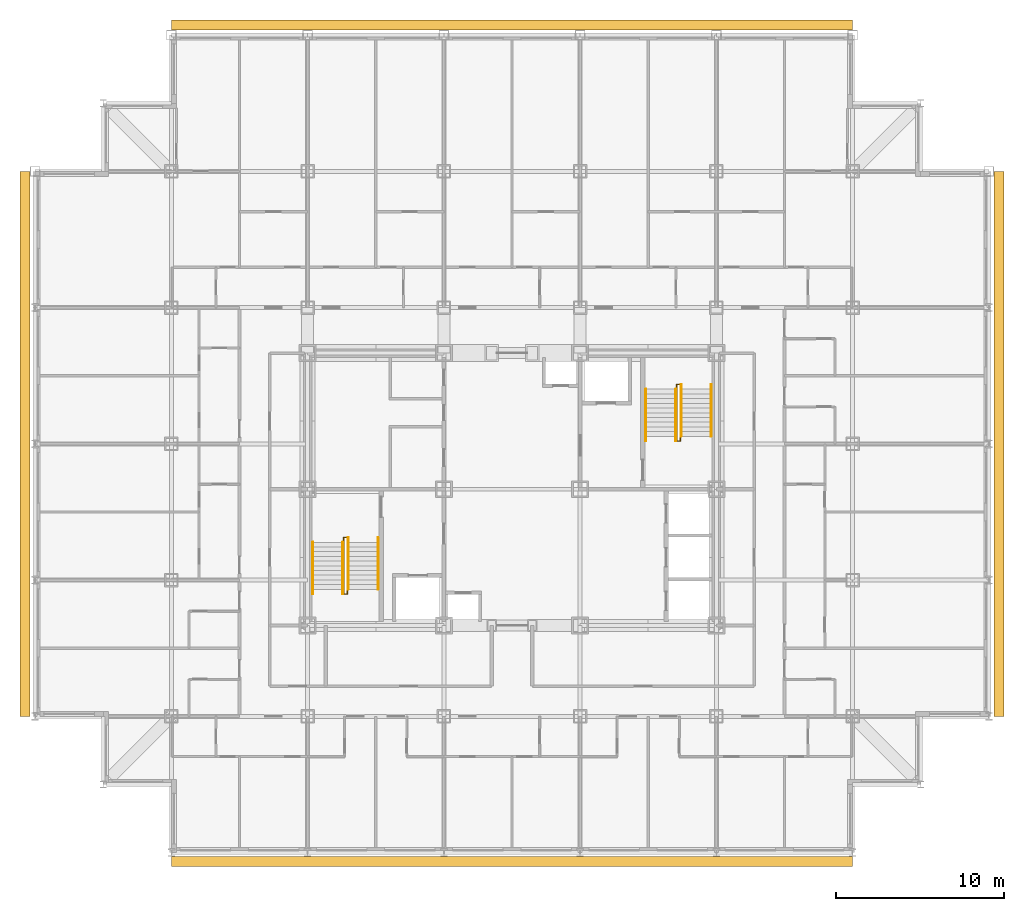
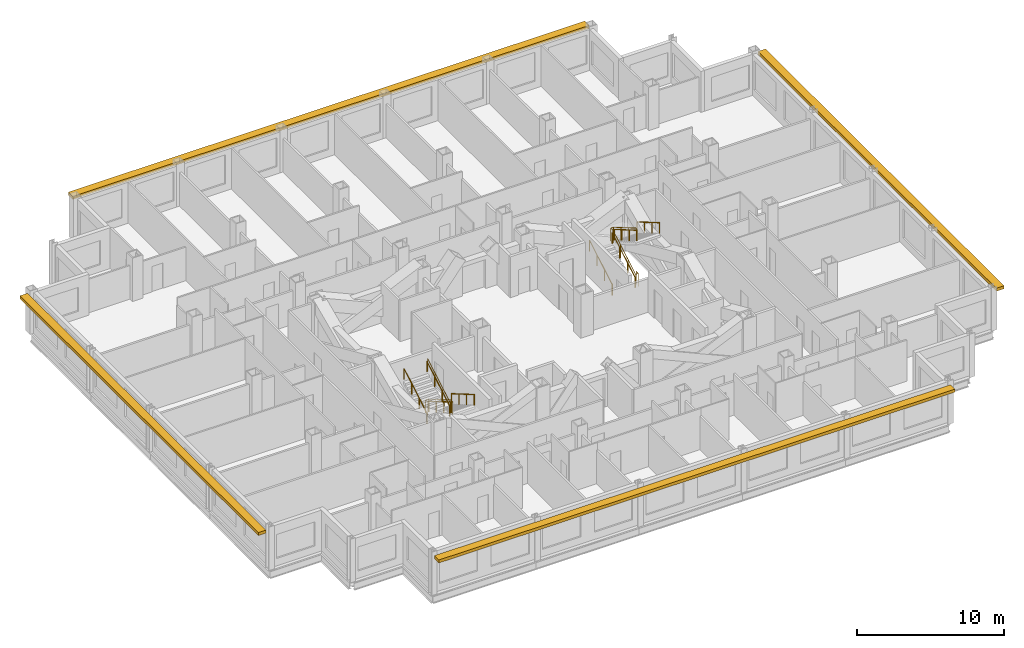
# One storey, part 12 of 12: 10 railings, 4 shading devices.
"""IFC4 building model written with IfcOpenShell, lengths in metres."""

from ifc_helpers import new_model, si_unit, direction, frame, origin, origin_2d, place, context, subcontext, project, spatial, rectangle, circle, extrude, material, type_object, element, save


model = new_model("IFC4")

# Units and contexts
model_context = context("Model", 3, precision=1e-05, world=origin(), true_north=direction((0.0, 1.0)))
body_context = subcontext(model_context, "Body", "Model", "MODEL_VIEW")
ifc_project = project(units=[si_unit("LENGTHUNIT", "METRE"), si_unit("AREAUNIT", "SQUARE_METRE"), si_unit("VOLUMEUNIT", "CUBIC_METRE"), si_unit("PLANEANGLEUNIT", "RADIAN"), si_unit("MASSUNIT", "GRAM", prefix="KILO")], contexts=[model_context])

# Site, building, storey
site_placement = place(None, origin())
site = spatial("IfcSite", under=ifc_project, at=site_placement, CompositionType="ELEMENT")
building_placement = place(site_placement, origin())
building = spatial("IfcBuilding", under=site, at=building_placement, Name="Kopane Lantern Tower", CompositionType="ELEMENT")
storey_placement = place(building_placement, frame((0.0, 0.0, 177.60009765625)))
storey = spatial("IfcBuildingStorey", under=building, at=storey_placement, Name="L45", CompositionType="ELEMENT", Elevation=177.60009765625)

# Railings
ifc_material_1 = material(Name="Steel", Category="steel")
railing_type_1 = type_object("IfcRailingType", Name="STAIR GUARD 1100", PredefinedType="GUARDRAIL", material=ifc_material_1)
railing_1_placement = place(storey_placement, frame((18.35009765625, 29.25, 0.0)))
element("IfcRailing", 1, at=railing_1_placement, inside=storey, type_object=railing_type_1, Name="ST1 well guard L45", PredefinedType="GUARDRAIL", context=body_context, shape_type="SweptSolid", body=[
    extrude(circle(Radius=0.02392578125, at=origin_2d()), frame((0.0, 0.0, 1.076171875), z_axis=(0.0, 1.0, 0.0), x_axis=(-1.0, 0.0, 0.0)), (0.0, 0.0, 1.0), 0.280029296875),
    extrude(circle(Radius=0.02392578125, at=origin_2d()), frame((0.0, 0.280029296875, 1.076171875), z_axis=(1.0, 0.0, 0.0), x_axis=(0.0, 1.0, 0.0)), (0.0, 0.0, 1.0), 0.199951171875),
    extrude(circle(Radius=0.02392578125, at=origin_2d()), frame((0.199951171875, 0.280029296875, 1.076171875), z_axis=(0.0, -0.863401368682, 0.504517667242), x_axis=(1.0, 0.0, 0.0)), (0.0, 0.0, 1.0), 3.5673828125),
    extrude(circle(Radius=0.02392578125, at=origin_2d()), frame((0.199951171875, -2.800048828125, 2.8759765625), z_axis=(0.0, -1.0, 0.0), x_axis=(1.0, 0.0, 0.0)), (0.0, 0.0, 1.0), 0.280029296875),
    extrude(circle(Radius=0.02392578125, at=origin_2d()), frame((0.199951171875, -3.080078125, 2.8759765625), z_axis=(-1.0, 0.0, 0.0), x_axis=(0.0, -1.0, 0.0)), (0.0, 0.0, 1.0), 0.199951171875),
    extrude(circle(Radius=0.02392578125, at=origin_2d()), frame((0.0, -3.080078125, 2.8759765625), z_axis=(0.0, 0.863371556955, 0.504568681787), x_axis=(-1.0, 0.0, 0.0)), (0.0, 0.0, 1.0), 3.5673828125),
    extrude(circle(Radius=0.02099609375, at=origin_2d()), origin(), (0.0, 0.0, 1.0), 1.052001953125),
    extrude(circle(Radius=0.02099609375, at=origin_2d()), frame((0.0, 0.280029296875, 0.0)), (0.0, 0.0, 1.0), 1.052001953125),
    extrude(circle(Radius=0.02099609375, at=origin_2d()), frame((0.199951171875, 0.280029296875, 0.0)), (0.0, 0.0, 1.0), 1.052001953125),
    extrude(circle(Radius=0.02099609375, at=origin_2d()), frame((0.199951171875, -0.74658203125, 0.599853515625)), (0.0, 0.0, 1.0), 1.052001953125),
    extrude(circle(Radius=0.02099609375, at=origin_2d()), frame((0.199951171875, -1.7734375, 1.199951171875)), (0.0, 0.0, 1.0), 1.052001953125),
    extrude(circle(Radius=0.02099609375, at=origin_2d()), frame((0.199951171875, -2.800048828125, 1.7998046875)), (0.0, 0.0, 1.0), 1.052001953125),
    extrude(circle(Radius=0.02099609375, at=origin_2d()), frame((0.199951171875, -3.080078125, 1.7998046875)), (0.0, 0.0, 1.0), 1.052001953125),
    extrude(circle(Radius=0.02099609375, at=origin_2d()), frame((0.0, -3.080078125, 1.7998046875)), (0.0, 0.0, 1.0), 1.052001953125),
    extrude(circle(Radius=0.02099609375, at=origin_2d()), frame((0.0, -2.053466796875, 2.39990234375)), (0.0, 0.0, 1.0), 1.052001953125),
    extrude(circle(Radius=0.02099609375, at=origin_2d()), frame((0.0, -1.026611328125, 2.999755859375)), (0.0, 0.0, 1.0), 1.052001953125),
    extrude(circle(Radius=0.02099609375, at=origin_2d()), frame((0.0, 0.0, 3.599853515625)), (0.0, 0.0, 1.0), 1.052001953125),
])
railing_2_placement = place(storey_placement, frame((38.35009765625, 35.550048828125, 0.0)))
element("IfcRailing", 2, at=railing_2_placement, inside=storey, type_object=railing_type_1, Name="ST2 well guard L45", PredefinedType="GUARDRAIL", context=body_context, shape_type="SweptSolid", body=[
    extrude(circle(Radius=0.02392578125, at=origin_2d()), frame((0.0, 0.0, 1.076171875), z_axis=(0.0, -1.0, 0.0), x_axis=(1.0, 0.0, 0.0)), (0.0, 0.0, 1.0), 0.280029296875),
    extrude(circle(Radius=0.02392578125, at=origin_2d()), frame((0.0, -0.280029296875, 1.076171875), z_axis=(-1.0, 0.0, 0.0), x_axis=(0.0, -1.0, 0.0)), (0.0, 0.0, 1.0), 0.2001953125),
    extrude(circle(Radius=0.02392578125, at=origin_2d()), frame((-0.2001953125, -0.280029296875, 1.076171875), z_axis=(0.0, 0.863401368682, 0.504517667242), x_axis=(-1.0, 0.0, 0.0)), (0.0, 0.0, 1.0), 3.5673828125),
    extrude(circle(Radius=0.02392578125, at=origin_2d()), frame((-0.2001953125, 2.800048828125, 2.8759765625), z_axis=(0.0, 1.0, 0.0), x_axis=(-1.0, 0.0, 0.0)), (0.0, 0.0, 1.0), 0.27978515625),
    extrude(circle(Radius=0.02392578125, at=origin_2d()), frame((-0.2001953125, 3.079833984375, 2.8759765625), z_axis=(1.0, 0.0, 0.0), x_axis=(0.0, 1.0, 0.0)), (0.0, 0.0, 1.0), 0.2001953125),
    extrude(circle(Radius=0.02392578125, at=origin_2d()), frame((0.0, 3.079833984375, 2.8759765625), z_axis=(0.0, -0.863354132664, 0.504598495452), x_axis=(1.0, 0.0, 0.0)), (0.0, 0.0, 1.0), 3.5673828125),
    extrude(circle(Radius=0.02099609375, at=origin_2d()), origin(), (0.0, 0.0, 1.0), 1.052001953125),
    extrude(circle(Radius=0.02099609375, at=origin_2d()), frame((0.0, -0.280029296875, 0.0)), (0.0, 0.0, 1.0), 1.052001953125),
    extrude(circle(Radius=0.02099609375, at=origin_2d()), frame((-0.2001953125, -0.280029296875, 0.0)), (0.0, 0.0, 1.0), 1.052001953125),
    extrude(circle(Radius=0.02099609375, at=origin_2d()), frame((-0.2001953125, 0.74658203125, 0.599853515625)), (0.0, 0.0, 1.0), 1.052001953125),
    extrude(circle(Radius=0.02099609375, at=origin_2d()), frame((-0.2001953125, 1.7734375, 1.199951171875)), (0.0, 0.0, 1.0), 1.052001953125),
    extrude(circle(Radius=0.02099609375, at=origin_2d()), frame((-0.2001953125, 2.800048828125, 1.7998046875)), (0.0, 0.0, 1.0), 1.052001953125),
    extrude(circle(Radius=0.02099609375, at=origin_2d()), frame((-0.2001953125, 3.079833984375, 1.7998046875)), (0.0, 0.0, 1.0), 1.052001953125),
    extrude(circle(Radius=0.02099609375, at=origin_2d()), frame((0.0, 3.079833984375, 1.7998046875)), (0.0, 0.0, 1.0), 1.052001953125),
    extrude(circle(Radius=0.02099609375, at=origin_2d()), frame((0.0, 2.05322265625, 2.39990234375)), (0.0, 0.0, 1.0), 1.052001953125),
    extrude(circle(Radius=0.02099609375, at=origin_2d()), frame((0.0, 1.026611328125, 2.999755859375)), (0.0, 0.0, 1.0), 1.052001953125),
    extrude(circle(Radius=0.02099609375, at=origin_2d()), frame((0.0, 0.0, 3.599853515625)), (0.0, 0.0, 1.0), 1.052001953125),
])
ifc_material_2 = material(Name="Steel", Category="steel")
railing_type_2 = type_object("IfcRailingType", Name="STAIR HANDRAIL 900", PredefinedType="HANDRAIL", material=ifc_material_2)
for number, where, name in (
    (3, (20.389892578125, 29.530029296875, 0.0), "ST1 handrail L45 flight 1"),
    (4, (18.610107421875, 29.530029296875, 0.0), "ST1 handrail L45 flight 1"),
):
    element("IfcRailing", number, at=place(storey_placement, frame(where)), inside=storey, type_object=railing_type_2, Name=name, PredefinedType="HANDRAIL", context=body_context, shape_type="SweptSolid", body=[
        extrude(circle(Radius=0.02392578125, at=origin_2d()), frame((0.0, 0.0, 0.8759765625), z_axis=(0.0, -0.863401368682, 0.504517667242), x_axis=(1.0, 0.0, 0.0)), (0.0, 0.0, 1.0), 3.5673828125),
        extrude(circle(Radius=0.02099609375, at=origin_2d()), origin(), (0.0, 0.0, 1.0), 0.851806640625),
        extrude(circle(Radius=0.02099609375, at=origin_2d()), frame((0.0, -1.026611328125, 0.599853515625)), (0.0, 0.0, 1.0), 0.851806640625),
        extrude(circle(Radius=0.02099609375, at=origin_2d()), frame((0.0, -2.053466796875, 1.199951171875)), (0.0, 0.0, 1.0), 0.851806640625),
        extrude(circle(Radius=0.02099609375, at=origin_2d()), frame((0.0, -3.080078125, 1.7998046875)), (0.0, 0.0, 1.0), 0.851806640625),
    ])
for number, where, name in (
    (5, (16.510009765625, 26.169921875, 1.7998046875), "ST1 handrail L45 flight 2"),
    (6, (18.2900390625, 26.169921875, 1.7998046875), "ST1 handrail L45 flight 2"),
):
    element("IfcRailing", number, at=place(storey_placement, frame(where)), inside=storey, type_object=railing_type_2, Name=name, PredefinedType="HANDRAIL", context=body_context, shape_type="SweptSolid", body=[
        extrude(circle(Radius=0.02392578125, at=origin_2d()), frame((0.0, 0.0, 0.8759765625), z_axis=(0.0, 0.863371556955, 0.504568681787), x_axis=(-1.0, 0.0, 0.0)), (0.0, 0.0, 1.0), 3.5673828125),
        extrude(circle(Radius=0.02099609375, at=origin_2d()), origin(), (0.0, 0.0, 1.0), 0.851806640625),
        extrude(circle(Radius=0.02099609375, at=origin_2d()), frame((0.0, 1.026611328125, 0.60009765625)), (0.0, 0.0, 1.0), 0.851806640625),
        extrude(circle(Radius=0.02099609375, at=origin_2d()), frame((0.0, 2.053466796875, 1.199951171875)), (0.0, 0.0, 1.0), 0.851806640625),
        extrude(circle(Radius=0.02099609375, at=origin_2d()), frame((0.0, 3.080078125, 1.800048828125)), (0.0, 0.0, 1.0), 0.851806640625),
    ])
for number, where, name in (
    (7, (36.31005859375, 35.27001953125, 0.0), "ST2 handrail L45 flight 1"),
    (8, (38.090087890625, 35.27001953125, 0.0), "ST2 handrail L45 flight 1"),
):
    element("IfcRailing", number, at=place(storey_placement, frame(where)), inside=storey, type_object=railing_type_2, Name=name, PredefinedType="HANDRAIL", context=body_context, shape_type="SweptSolid", body=[
        extrude(circle(Radius=0.02392578125, at=origin_2d()), frame((0.0, 0.0, 0.8759765625), z_axis=(0.0, 0.863401368682, 0.504517667242), x_axis=(-1.0, 0.0, 0.0)), (0.0, 0.0, 1.0), 3.5673828125),
        extrude(circle(Radius=0.02099609375, at=origin_2d()), origin(), (0.0, 0.0, 1.0), 0.851806640625),
        extrude(circle(Radius=0.02099609375, at=origin_2d()), frame((0.0, 1.026611328125, 0.599853515625)), (0.0, 0.0, 1.0), 0.851806640625),
        extrude(circle(Radius=0.02099609375, at=origin_2d()), frame((0.0, 2.053466796875, 1.199951171875)), (0.0, 0.0, 1.0), 0.851806640625),
        extrude(circle(Radius=0.02099609375, at=origin_2d()), frame((0.0, 3.080078125, 1.7998046875)), (0.0, 0.0, 1.0), 0.851806640625),
    ])
for number, where, name in (
    (9, (40.18994140625, 38.6298828125, 1.7998046875), "ST2 handrail L45 flight 2"),
    (10, (38.409912109375, 38.6298828125, 1.7998046875), "ST2 handrail L45 flight 2"),
):
    element("IfcRailing", number, at=place(storey_placement, frame(where)), inside=storey, type_object=railing_type_2, Name=name, PredefinedType="HANDRAIL", context=body_context, shape_type="SweptSolid", body=[
        extrude(circle(Radius=0.02392578125, at=origin_2d()), frame((0.0, 0.0, 0.8759765625), z_axis=(0.0, -0.863354132664, 0.504598495452), x_axis=(1.0, 0.0, 0.0)), (0.0, 0.0, 1.0), 3.5673828125),
        extrude(circle(Radius=0.02099609375, at=origin_2d()), origin(), (0.0, 0.0, 1.0), 0.851806640625),
        extrude(circle(Radius=0.02099609375, at=origin_2d()), frame((0.0, -1.026611328125, 0.60009765625)), (0.0, 0.0, 1.0), 0.851806640625),
        extrude(circle(Radius=0.02099609375, at=origin_2d()), frame((0.0, -2.05322265625, 1.199951171875)), (0.0, 0.0, 1.0), 0.851806640625),
        extrude(circle(Radius=0.02099609375, at=origin_2d()), frame((0.0, -3.079833984375, 1.800048828125)), (0.0, 0.0, 1.0), 0.851806640625),
    ])

# Shading devices
ifc_material_3 = material(Name="Terracotta rainscreen on light steel framing", Category="masonry")
shading_device_type = type_object("IfcShadingDeviceType", Name="SUNSHADE BAND SB1 600 TERRACOTTA", PredefinedType="USERDEFINED", material=ifc_material_3)
shading_device_1_placement = place(storey_placement, frame((28.35009765625, 10.2626953125, 3.0), z_axis=(0.0, 0.0, 1.0), x_axis=(1.0, 0.0, 0.0)))
element("IfcShadingDevice", 11, at=shading_device_1_placement, inside=storey, type_object=shading_device_type, Name="Sunshade band S L45", ObjectType="SUNSHADE BAND", PredefinedType="USERDEFINED", context=body_context, shape_type="SweptSolid", body=[
    extrude(rectangle(XDim=40.5, YDim=0.60009765625, at=origin_2d()), origin(), (0.0, 0.0, 1.0), 0.25),
])
shading_device_2_placement = place(storey_placement, frame((57.300048828125, 35.10009765625, 3.0), z_axis=(0.0, 0.0, 1.0), x_axis=(0.0, 1.0, 0.0)))
element("IfcShadingDevice", 12, at=shading_device_2_placement, inside=storey, type_object=shading_device_type, Name="Sunshade band E L45", ObjectType="SUNSHADE BAND", PredefinedType="USERDEFINED", context=body_context, shape_type="SweptSolid", body=[
    extrude(rectangle(XDim=32.39990234375, YDim=0.60009765625, at=origin_2d()), origin(), (0.0, 0.0, 1.0), 0.25),
])
shading_device_3_placement = place(storey_placement, frame((28.35009765625, 60.0, 3.0), z_axis=(0.0, 0.0, 1.0), x_axis=(-1.0, 0.0, 0.0)))
element("IfcShadingDevice", 13, at=shading_device_3_placement, inside=storey, type_object=shading_device_type, Name="Sunshade band N L45", ObjectType="SUNSHADE BAND", PredefinedType="USERDEFINED", context=body_context, shape_type="SweptSolid", body=[
    extrude(rectangle(XDim=40.5, YDim=0.60009765625, at=origin_2d()), origin(), (0.0, 0.0, 1.0), 0.25),
])
shading_device_4_placement = place(storey_placement, frame((-0.60009765625, 35.10009765625, 3.0), z_axis=(0.0, 0.0, 1.0), x_axis=(0.0, -1.0, 0.0)))
element("IfcShadingDevice", 14, at=shading_device_4_placement, inside=storey, type_object=shading_device_type, Name="Sunshade band W L45", ObjectType="SUNSHADE BAND", PredefinedType="USERDEFINED", context=body_context, shape_type="SweptSolid", body=[
    extrude(rectangle(XDim=32.39990234375, YDim=0.60009765625, at=origin_2d()), origin(), (0.0, 0.0, 1.0), 0.25),
])

save(model, "model.ifc")
